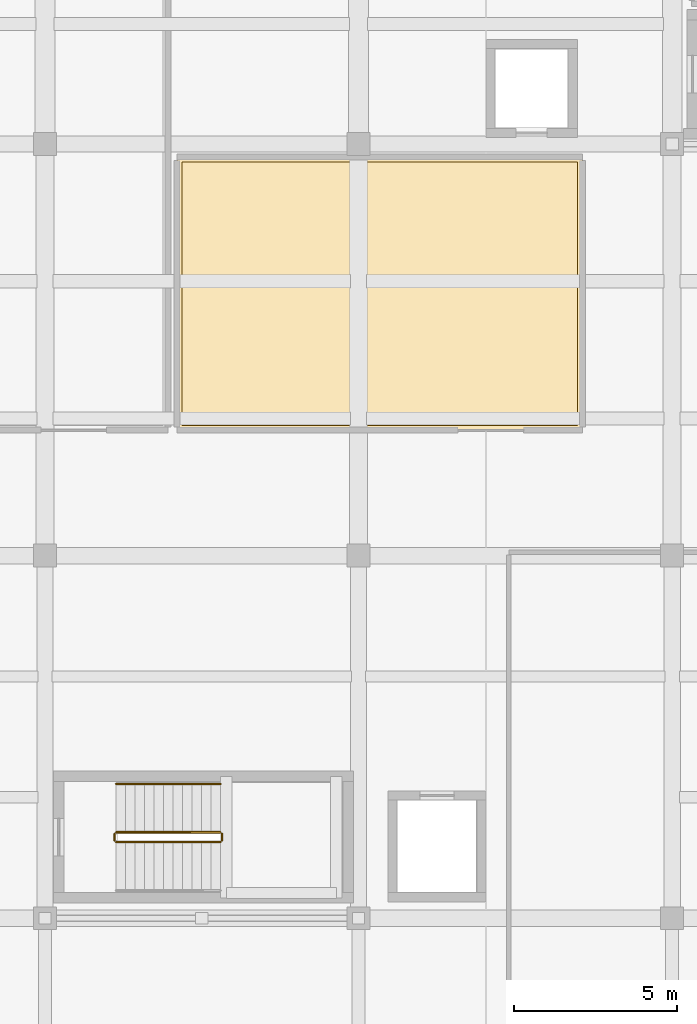
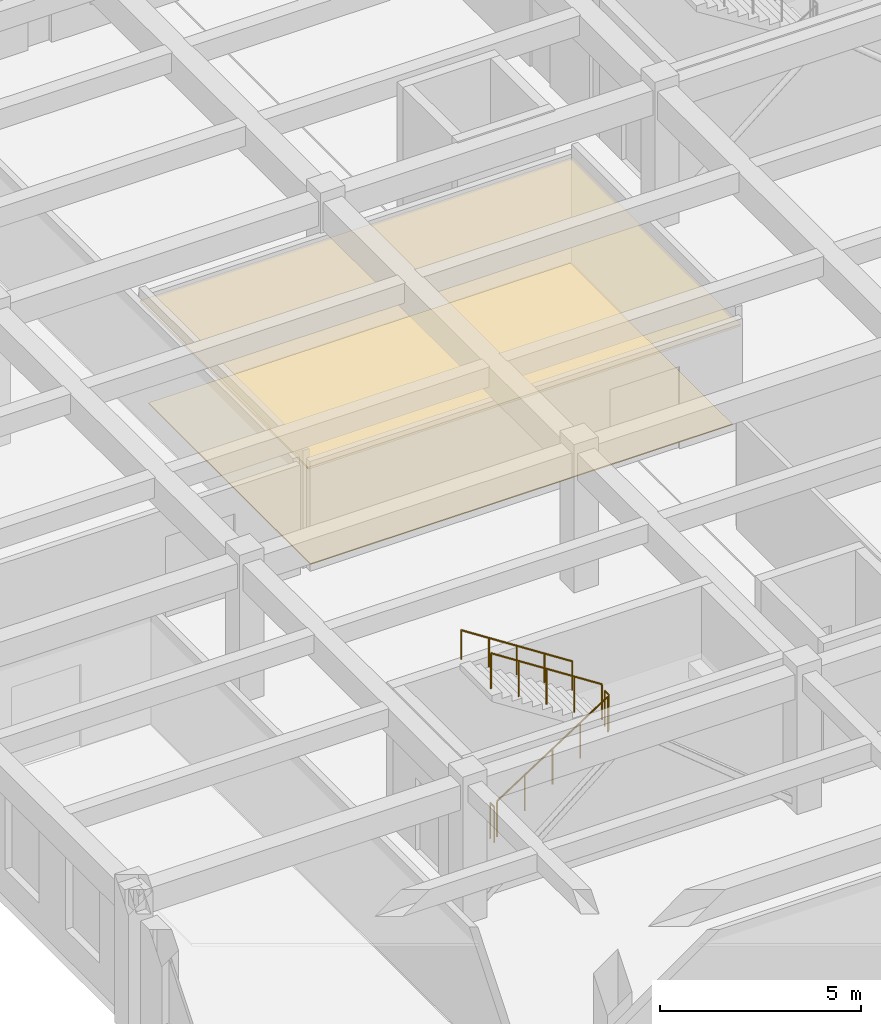
# One storey, part 84 of 92: 5 railings, 2 coverings.
"""IFC4 building model written with IfcOpenShell, lengths in metres."""

from ifc_helpers import new_model, si_unit, direction, frame, origin, origin_2d, place, context, subcontext, project, spatial, polyline, circle, outline, extrude, material, layer, layer_set, type_object, element, save


model = new_model("IFC4")

# Units and contexts
model_context = context("Model", 3, precision=1e-05, world=origin(), true_north=direction((0.0, 1.0)))
body_context = subcontext(model_context, "Body", "Model", "MODEL_VIEW")
ifc_project = project(units=[si_unit("LENGTHUNIT", "METRE"), si_unit("AREAUNIT", "SQUARE_METRE"), si_unit("VOLUMEUNIT", "CUBIC_METRE"), si_unit("PLANEANGLEUNIT", "RADIAN"), si_unit("MASSUNIT", "GRAM", prefix="KILO")], contexts=[model_context])

# Site, building, storey
site_placement = place(None, origin())
site = spatial("IfcSite", under=ifc_project, at=site_placement, CompositionType="ELEMENT")
building_placement = place(site_placement, origin())
building = spatial("IfcBuilding", under=site, at=building_placement, Name="Tarnavel Promenade Courthouse", CompositionType="ELEMENT")
storey_placement = place(building_placement, frame((0.0, 0.0, 5.39990234375)))
storey = spatial("IfcBuildingStorey", under=building, at=storey_placement, Name="L02", CompositionType="ELEMENT", Elevation=5.39990234375)

# Railing
ifc_material_1 = material(Name="Brushed Bronze Tubular Stair Handrail")
railing_type_1 = type_object("IfcRailingType", Name="Brushed Bronze Tubular Stair Handrail (RL-HND-0900)", PredefinedType="HANDRAIL", material=ifc_material_1)
railing_1_placement = place(storey_placement, frame((14.969970703125, 78.510009765625, 2.4375)))
element("IfcRailing", 1, at=railing_1_placement, inside=storey, type_object=railing_type_1, Name="L02 ST-04 stair handrail 2", PredefinedType="HANDRAIL", context=body_context, shape_type="SweptSolid", body=[
    extrude(circle(Radius=0.02392578125, at=origin_2d()), frame((0.0, 0.0, 0.8759765625), z_axis=(-0.839759782654, 0.0, 0.542958108362), x_axis=(0.0, -1.0, 0.0)), (0.0, 0.0, 1.0), 3.798583984375),
    extrude(circle(Radius=0.02099609375, at=origin_2d()), origin(), (0.0, 0.0, 1.0), 0.851806640625),
    extrude(circle(Radius=0.02099609375, at=origin_2d()), frame((-0.79736328125, 0.0, 0.515625)), (0.0, 0.0, 1.0), 0.851806640625),
    extrude(circle(Radius=0.02099609375, at=origin_2d()), frame((-1.594970703125, 0.0, 1.03125)), (0.0, 0.0, 1.0), 0.851806640625),
    extrude(circle(Radius=0.02099609375, at=origin_2d()), frame((-2.392578125, 0.0, 1.546875)), (0.0, 0.0, 1.0), 0.851806640625),
    extrude(circle(Radius=0.02099609375, at=origin_2d()), frame((-3.18994140625, 0.0, 2.0625)), (0.0, 0.0, 1.0), 0.851806640625),
])

# Covering
ifc_material_2 = material(Name="Engineered Smoked Oak Courtroom & Chambers Parquet")
ifc_layer_1 = layer(ifc_material_2, 0.031982421875)
ifc_layer_set_1 = layer_set([ifc_layer_1], Name="Engineered Smoked Oak Courtroom & Chambers Parquet")
covering_type_1 = type_object("IfcCoveringType", Name="Engineered Smoked Oak Courtroom & Chambers Parquet (COV-FLR-OAK-32)", PredefinedType="FLOORING", material=ifc_layer_set_1)
covering_1_placement = place(storey_placement, origin())
element("IfcCovering", 2, at=covering_1_placement, inside=storey, type_object=covering_type_1, Name="L02 Civil Trial Courtroom B Architectural Flooring 0010", PredefinedType="FLOORING", context=body_context, shape_type="SweptSolid", body=[
    extrude(outline(polyline([(13.7900390625, 89.489990234375), (25.909912109375, 89.489990234375), (25.909912109375, 97.550048828125), (13.7900390625, 97.550048828125), (13.7900390625, 89.489990234375)])), origin(), (0.0, 0.0, 1.0), 0.031982421875),
])

# Railings
ifc_material_3 = material(Name="Painted Architectural Steel Core Stair Guardrail", Category="steel")
railing_type_2 = type_object("IfcRailingType", Name="Painted Architectural Steel Core Stair Guardrail (RL-GRD-1100)", PredefinedType="GUARDRAIL", material=ifc_material_3)
railing_2_placement = place(storey_placement, frame((11.780029296875, 76.72998046875, 0.1875)))
element("IfcRailing", 3, at=railing_2_placement, inside=storey, type_object=railing_type_2, Name="L02 ST-04 stair guard 1", PredefinedType="GUARDRAIL", context=body_context, shape_type="SweptSolid", body=[
    extrude(circle(Radius=0.02392578125, at=origin_2d()), frame((0.0, 0.0, 1.076171875), z_axis=(0.839759782654, 0.0, 0.542958108362), x_axis=(0.0, 1.0, 0.0)), (0.0, 0.0, 1.0), 3.798583984375),
    extrude(circle(Radius=0.02099609375, at=origin_2d()), origin(), (0.0, 0.0, 1.0), 1.052001953125),
    extrude(circle(Radius=0.02099609375, at=origin_2d()), frame((0.79736328125, 0.0, 0.515625)), (0.0, 0.0, 1.0), 1.052001953125),
    extrude(circle(Radius=0.02099609375, at=origin_2d()), frame((1.594970703125, 0.0, 1.03125)), (0.0, 0.0, 1.0), 1.052001953125),
    extrude(circle(Radius=0.02099609375, at=origin_2d()), frame((2.392578125, 0.0, 1.546875)), (0.0, 0.0, 1.0), 1.052001953125),
    extrude(circle(Radius=0.02099609375, at=origin_2d()), frame((3.18994140625, 0.0, 2.0625)), (0.0, 0.0, 1.0), 1.052001953125),
])
railing_3_placement = place(storey_placement, frame((15.02001953125, 76.780029296875, 2.25)))
element("IfcRailing", 4, at=railing_3_placement, inside=storey, type_object=railing_type_2, Name="L02 ST-04 stair guard 2", PredefinedType="GUARDRAIL", context=body_context, shape_type="SweptSolid", body=[
    extrude(circle(Radius=0.02392578125, at=origin_2d()), frame((0.0, 0.0, 1.076171875), z_axis=(0.0, 1.0, 0.0), x_axis=(-1.0, 0.0, 0.0)), (0.0, 0.0, 1.0), 0.199951171875),
    extrude(circle(Radius=0.02099609375, at=origin_2d()), origin(), (0.0, 0.0, 1.0), 1.052001953125),
    extrude(circle(Radius=0.02099609375, at=origin_2d()), frame((0.0, 0.199951171875, 0.0)), (0.0, 0.0, 1.0), 1.052001953125),
])
railing_4_placement = place(storey_placement, frame((14.969970703125, 77.030029296875, 2.4375)))
element("IfcRailing", 5, at=railing_4_placement, inside=storey, type_object=railing_type_2, Name="L02 ST-04 stair guard 3", PredefinedType="GUARDRAIL", context=body_context, shape_type="SweptSolid", body=[
    extrude(circle(Radius=0.02392578125, at=origin_2d()), frame((0.0, 0.0, 1.076171875), z_axis=(-0.839759782654, 0.0, 0.542958108362), x_axis=(0.0, -1.0, 0.0)), (0.0, 0.0, 1.0), 3.798583984375),
    extrude(circle(Radius=0.02099609375, at=origin_2d()), origin(), (0.0, 0.0, 1.0), 1.052001953125),
    extrude(circle(Radius=0.02099609375, at=origin_2d()), frame((-0.79736328125, 0.0, 0.515625)), (0.0, 0.0, 1.0), 1.052001953125),
    extrude(circle(Radius=0.02099609375, at=origin_2d()), frame((-1.594970703125, 0.0, 1.03125)), (0.0, 0.0, 1.0), 1.052001953125),
    extrude(circle(Radius=0.02099609375, at=origin_2d()), frame((-2.392578125, 0.0, 1.546875)), (0.0, 0.0, 1.0), 1.052001953125),
    extrude(circle(Radius=0.02099609375, at=origin_2d()), frame((-3.18994140625, 0.0, 2.0625)), (0.0, 0.0, 1.0), 1.052001953125),
])
railing_5_placement = place(storey_placement, frame((11.72998046875, 76.780029296875, 0.0)))
element("IfcRailing", 6, at=railing_5_placement, inside=storey, type_object=railing_type_2, Name="L02 ST-04 stair guard 4", PredefinedType="GUARDRAIL", context=body_context, shape_type="SweptSolid", body=[
    extrude(circle(Radius=0.02392578125, at=origin_2d()), frame((0.0, 0.0, 1.076171875), z_axis=(0.0, 1.0, 0.0), x_axis=(-1.0, 0.0, 0.0)), (0.0, 0.0, 1.0), 0.199951171875),
    extrude(circle(Radius=0.02099609375, at=origin_2d()), origin(), (0.0, 0.0, 1.0), 1.052001953125),
    extrude(circle(Radius=0.02099609375, at=origin_2d()), frame((0.0, 0.199951171875, 0.0)), (0.0, 0.0, 1.0), 1.052001953125),
])

# Covering
ifc_material_4 = material(Name="Slatted Acoustic White Oak Baffle Ceiling")
ifc_layer_2 = layer(ifc_material_4, 0.06494140625)
ifc_layer_set_2 = layer_set([ifc_layer_2], Name="Slatted Acoustic White Oak Baffle Ceiling")
covering_type_2 = type_object("IfcCoveringType", Name="Slatted Acoustic White Oak Baffle Ceiling (COV-CLG-OAK-65)", PredefinedType="CEILING", material=ifc_layer_set_2)
covering_2_placement = place(storey_placement, frame((0.0, 0.0, 3.03515625)))
element("IfcCovering", 7, at=covering_2_placement, inside=storey, type_object=covering_type_2, Name="L02 Civil Trial Courtroom B Acoustic Ceiling 0010", PredefinedType="CEILING", context=body_context, shape_type="SweptSolid", body=[
    extrude(outline(polyline([(13.639892578125, 89.340087890625), (26.06005859375, 89.340087890625), (26.06005859375, 97.699951171875), (13.639892578125, 97.699951171875), (13.639892578125, 89.340087890625)])), origin(), (0.0, 0.0, 1.0), 0.06494140625),
])

save(model, "model.ifc")
